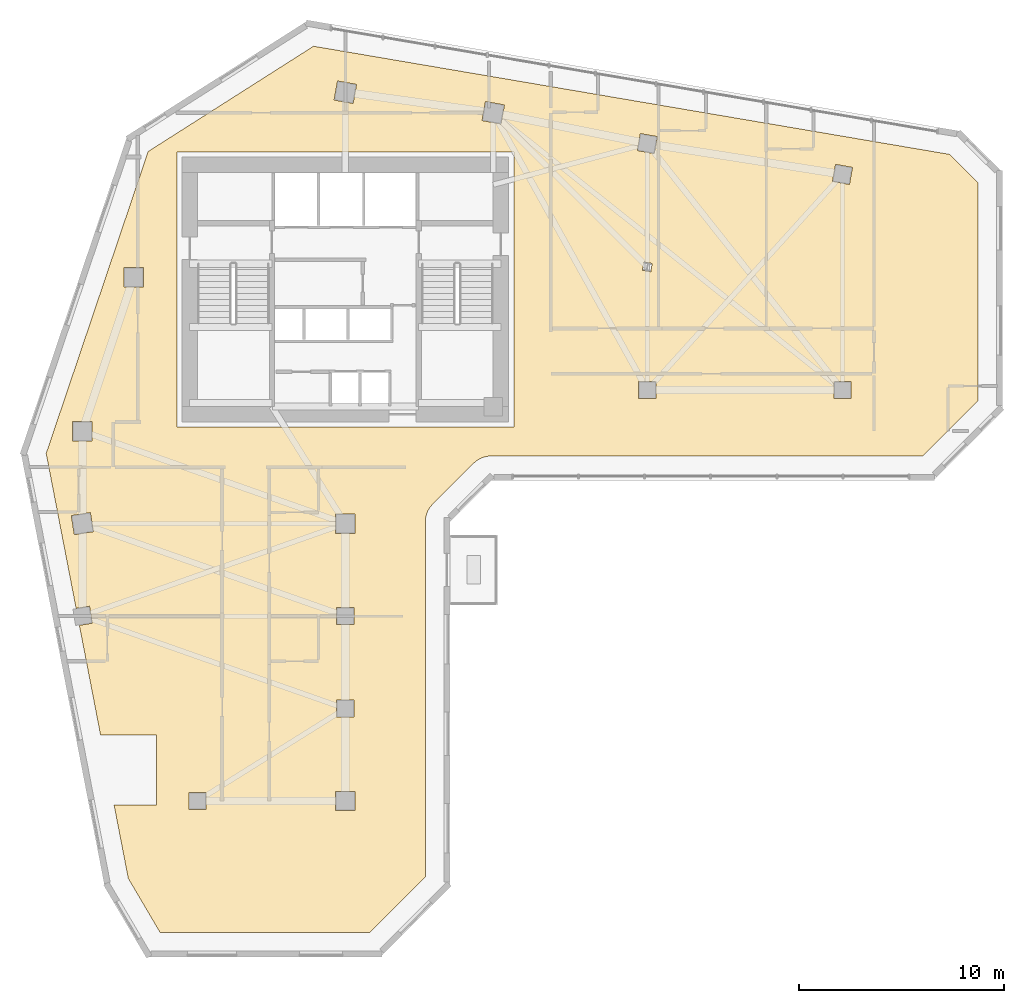
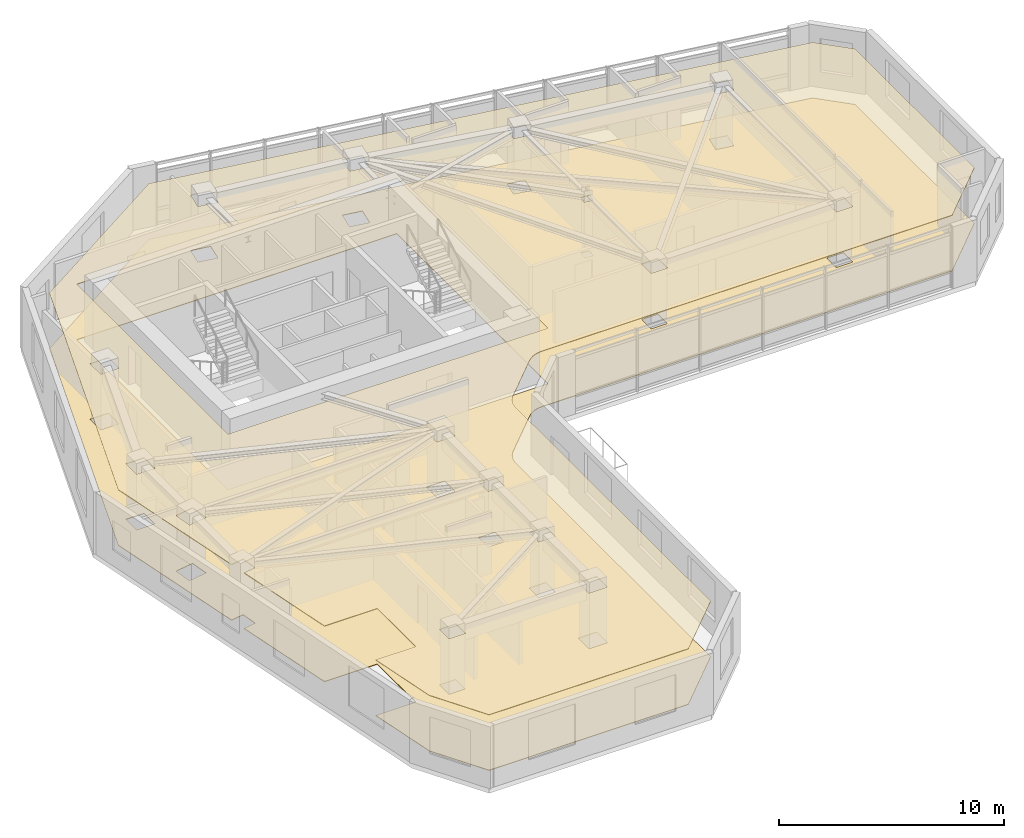
# One storey, part 9 of 10: 2 coverings.
"""IFC4 building model written with IfcOpenShell, lengths in metres."""

from ifc_helpers import new_model, si_unit, direction, frame, origin, place, context, subcontext, project, spatial, polyline, outline, extrude, material, layer, layer_set, type_object, element, save


model = new_model("IFC4")

# Units and contexts
model_context = context("Model", 3, precision=1e-05, world=origin(), true_north=direction((0.0, 1.0)))
body_context = subcontext(model_context, "Body", "Model", "MODEL_VIEW")
ifc_project = project(units=[si_unit("LENGTHUNIT", "METRE"), si_unit("AREAUNIT", "SQUARE_METRE"), si_unit("VOLUMEUNIT", "CUBIC_METRE"), si_unit("PLANEANGLEUNIT", "RADIAN"), si_unit("MASSUNIT", "GRAM", prefix="KILO")], contexts=[model_context])

# Site, building, storey
site_placement = place(None, origin())
site = spatial("IfcSite", under=ifc_project, at=site_placement, CompositionType="ELEMENT")
building_placement = place(site_placement, origin())
building = spatial("IfcBuilding", under=site, at=building_placement, Name="Calvemar Wedge Station Tower", CompositionType="ELEMENT")
storey_placement = place(building_placement, frame((0.0, 0.0, 110.60009765625)))
storey = spatial("IfcBuildingStorey", under=building, at=storey_placement, Name="L26", CompositionType="ELEMENT", Elevation=110.60009765625)

# Coverings
ifc_material_1 = material(Name="Moisture-resistant gypsum ceiling")
ifc_layer_1 = layer(ifc_material_1, 0.0400390625)
ifc_layer_set_1 = layer_set([ifc_layer_1], Name="Moisture-resistant gypsum ceiling")
covering_type_1 = type_object("IfcCoveringType", Name="COV-CEIL-GYPSUM", PredefinedType="CEILING", material=ifc_layer_set_1)
covering_1_placement = place(storey_placement, frame((0.0, 0.0, 3.0)))
element("IfcCovering", 1, at=covering_1_placement, inside=storey, type_object=covering_type_1, Name="Storey L26 Acoustic Suspended Ceiling", PredefinedType="CEILING", context=body_context, shape_type="SweptSolid", body=[
    extrude(outline(polyline([(28.047607421875, 29.4404296875), (30.047607421875, 31.4404296875), (30.134765625, 31.51953125), (30.229248046875, 31.58984375), (30.330322265625, 31.650390625), (30.436767578125, 31.70068359375), (30.547607421875, 31.740234375), (30.661865234375, 31.768798828125), (30.7783203125, 31.7861328125), (30.89599609375, 31.7919921875), (51.90283203125, 31.7919921875), (54.60009765625, 34.489013671875), (54.60009765625, 45.094970703125), (53.221923828125, 46.47314453125), (22.25439453125, 51.739501953125), (14.201416015625, 46.614990234375), (9.23828125, 31.91650390625), (10.695068359375, 24.37646484375), (11.348388671875, 24.481201171875), (11.481201171875, 23.651611328125), (10.8544921875, 23.55126953125), (11.888427734375, 18.199951171875), (14.60009765625, 18.199951171875), (14.60009765625, 14.800048828125), (12.54541015625, 14.800048828125), (13.235107421875, 11.23046875), (14.7822265625, 8.60009765625), (24.998779296875, 8.60009765625), (27.696044921875, 11.297119140625), (27.696044921875, 28.592041015625), (27.701904296875, 28.709716796875), (27.718994140625, 28.826171875), (27.747802734375, 28.940185546875), (27.787353515625, 29.05126953125), (27.837646484375, 29.15771484375), (27.898193359375, 29.2587890625), (27.968505859375, 29.353271484375), (28.047607421875, 29.4404296875)]), holes=[polyline([(15.60009765625, 46.60009765625), (32.0, 46.60009765625), (32.0, 33.199951171875), (15.60009765625, 33.199951171875), (15.60009765625, 46.60009765625)]), polyline([(10.530029296875, 32.530029296875), (10.530029296875, 33.469970703125), (11.469970703125, 33.469970703125), (11.469970703125, 32.530029296875), (10.530029296875, 32.530029296875)]), polyline([(13.030029296875, 40.969970703125), (13.969970703125, 40.969970703125), (13.969970703125, 40.030029296875), (13.030029296875, 40.030029296875), (13.030029296875, 40.969970703125)]), polyline([(24.345703125, 49.87939453125), (24.17919921875, 48.9541015625), (23.254150390625, 49.12060546875), (23.420654296875, 50.0458984375), (24.345703125, 49.87939453125)]), polyline([(31.37939453125, 47.9541015625), (30.4541015625, 48.12060546875), (30.62060546875, 49.0458984375), (31.5458984375, 48.87939453125), (31.37939453125, 47.9541015625)]), polyline([(38.01220703125, 46.660888671875), (38.160888671875, 47.48779296875), (38.98779296875, 47.339111328125), (38.839111328125, 46.51220703125), (38.01220703125, 46.660888671875)]), polyline([(47.660888671875, 45.98779296875), (48.48779296875, 45.839111328125), (48.339111328125, 45.01220703125), (47.51220703125, 45.160888671875), (47.660888671875, 45.98779296875)]), polyline([(38.919921875, 35.419921875), (38.919921875, 34.580078125), (38.080078125, 34.580078125), (38.080078125, 35.419921875), (38.919921875, 35.419921875)]), polyline([(48.419921875, 34.580078125), (47.580078125, 34.580078125), (47.580078125, 35.419921875), (48.419921875, 35.419921875), (48.419921875, 34.580078125)]), polyline([(38.259765625, 40.833984375), (38.332763671875, 41.239501953125), (38.740234375, 41.166015625), (38.667236328125, 40.760498046875), (38.259765625, 40.833984375)]), polyline([(11.389892578125, 29.038330078125), (11.538330078125, 28.110107421875), (10.610107421875, 27.961669921875), (10.461669921875, 28.889892578125), (11.389892578125, 29.038330078125)]), polyline([(24.27001953125, 28.030029296875), (23.330078125, 28.030029296875), (23.330078125, 28.969970703125), (24.27001953125, 28.969970703125), (24.27001953125, 28.030029296875)]), polyline([(23.3798828125, 23.580078125), (23.3798828125, 24.419921875), (24.219970703125, 24.419921875), (24.219970703125, 23.580078125), (23.3798828125, 23.580078125)]), polyline([(23.3798828125, 19.919921875), (24.219970703125, 19.919921875), (24.219970703125, 19.080078125), (23.3798828125, 19.080078125), (23.3798828125, 19.919921875)]), polyline([(24.27001953125, 15.469970703125), (24.27001953125, 14.530029296875), (23.330078125, 14.530029296875), (23.330078125, 15.469970703125), (24.27001953125, 15.469970703125)]), polyline([(17.02001953125, 14.580078125), (16.179931640625, 14.580078125), (16.179931640625, 15.419921875), (17.02001953125, 15.419921875), (17.02001953125, 14.580078125)])]), origin(), (0.0, 0.0, 1.0), 0.039794921875),
])
ifc_material_2 = material(Name="Honed coastal granite stone tile", Category="masonry")
ifc_layer_2 = layer(ifc_material_2, 0.030029296875)
ifc_layer_set_2 = layer_set([ifc_layer_2], Name="Honed coastal granite stone tile")
covering_type_2 = type_object("IfcCoveringType", Name="COV-FLR-STONE", PredefinedType="FLOORING", material=ifc_layer_set_2)
covering_2_placement = place(storey_placement, origin())
element("IfcCovering", 2, at=covering_2_placement, inside=storey, type_object=covering_type_2, Name="Storey L26 Architectural Floor Finish", PredefinedType="FLOORING", context=body_context, shape_type="SweptSolid", body=[
    extrude(outline(polyline([(28.047607421875, 29.4404296875), (30.047607421875, 31.4404296875), (30.134765625, 31.51953125), (30.229248046875, 31.58984375), (30.330322265625, 31.650390625), (30.436767578125, 31.70068359375), (30.547607421875, 31.740234375), (30.661865234375, 31.768798828125), (30.7783203125, 31.7861328125), (30.89599609375, 31.7919921875), (51.90283203125, 31.7919921875), (54.60009765625, 34.489013671875), (54.60009765625, 45.094970703125), (53.221923828125, 46.47314453125), (22.25439453125, 51.739501953125), (14.201416015625, 46.614990234375), (9.23828125, 31.91650390625), (10.695068359375, 24.37646484375), (11.348388671875, 24.481201171875), (11.481201171875, 23.651611328125), (10.8544921875, 23.55126953125), (11.888427734375, 18.199951171875), (14.60009765625, 18.199951171875), (14.60009765625, 14.800048828125), (12.54541015625, 14.800048828125), (13.235107421875, 11.23046875), (14.7822265625, 8.60009765625), (24.998779296875, 8.60009765625), (27.696044921875, 11.297119140625), (27.696044921875, 28.592041015625), (27.701904296875, 28.709716796875), (27.718994140625, 28.826171875), (27.747802734375, 28.940185546875), (27.787353515625, 29.05126953125), (27.837646484375, 29.15771484375), (27.898193359375, 29.2587890625), (27.968505859375, 29.353271484375), (28.047607421875, 29.4404296875)]), holes=[polyline([(15.60009765625, 46.60009765625), (32.0, 46.60009765625), (32.0, 33.199951171875), (15.60009765625, 33.199951171875), (15.60009765625, 46.60009765625)]), polyline([(10.530029296875, 32.530029296875), (10.530029296875, 33.469970703125), (11.469970703125, 33.469970703125), (11.469970703125, 32.530029296875), (10.530029296875, 32.530029296875)]), polyline([(13.030029296875, 40.969970703125), (13.969970703125, 40.969970703125), (13.969970703125, 40.030029296875), (13.030029296875, 40.030029296875), (13.030029296875, 40.969970703125)]), polyline([(24.345703125, 49.87939453125), (24.17919921875, 48.9541015625), (23.254150390625, 49.12060546875), (23.420654296875, 50.0458984375), (24.345703125, 49.87939453125)]), polyline([(31.37939453125, 47.9541015625), (30.4541015625, 48.12060546875), (30.62060546875, 49.0458984375), (31.5458984375, 48.87939453125), (31.37939453125, 47.9541015625)]), polyline([(38.01220703125, 46.660888671875), (38.160888671875, 47.48779296875), (38.98779296875, 47.339111328125), (38.839111328125, 46.51220703125), (38.01220703125, 46.660888671875)]), polyline([(47.660888671875, 45.98779296875), (48.48779296875, 45.839111328125), (48.339111328125, 45.01220703125), (47.51220703125, 45.160888671875), (47.660888671875, 45.98779296875)]), polyline([(38.919921875, 35.419921875), (38.919921875, 34.580078125), (38.080078125, 34.580078125), (38.080078125, 35.419921875), (38.919921875, 35.419921875)]), polyline([(48.419921875, 34.580078125), (47.580078125, 34.580078125), (47.580078125, 35.419921875), (48.419921875, 35.419921875), (48.419921875, 34.580078125)]), polyline([(38.259765625, 40.833984375), (38.332763671875, 41.239501953125), (38.740234375, 41.166015625), (38.667236328125, 40.760498046875), (38.259765625, 40.833984375)]), polyline([(11.389892578125, 29.038330078125), (11.538330078125, 28.110107421875), (10.610107421875, 27.961669921875), (10.461669921875, 28.889892578125), (11.389892578125, 29.038330078125)]), polyline([(24.27001953125, 28.030029296875), (23.330078125, 28.030029296875), (23.330078125, 28.969970703125), (24.27001953125, 28.969970703125), (24.27001953125, 28.030029296875)]), polyline([(23.3798828125, 23.580078125), (23.3798828125, 24.419921875), (24.219970703125, 24.419921875), (24.219970703125, 23.580078125), (23.3798828125, 23.580078125)]), polyline([(23.3798828125, 19.919921875), (24.219970703125, 19.919921875), (24.219970703125, 19.080078125), (23.3798828125, 19.080078125), (23.3798828125, 19.919921875)]), polyline([(24.27001953125, 15.469970703125), (24.27001953125, 14.530029296875), (23.330078125, 14.530029296875), (23.330078125, 15.469970703125), (24.27001953125, 15.469970703125)]), polyline([(17.02001953125, 14.580078125), (16.179931640625, 14.580078125), (16.179931640625, 15.419921875), (17.02001953125, 15.419921875), (17.02001953125, 14.580078125)])]), origin(), (0.0, 0.0, 1.0), 0.02978515625),
])

save(model, "model.ifc")
